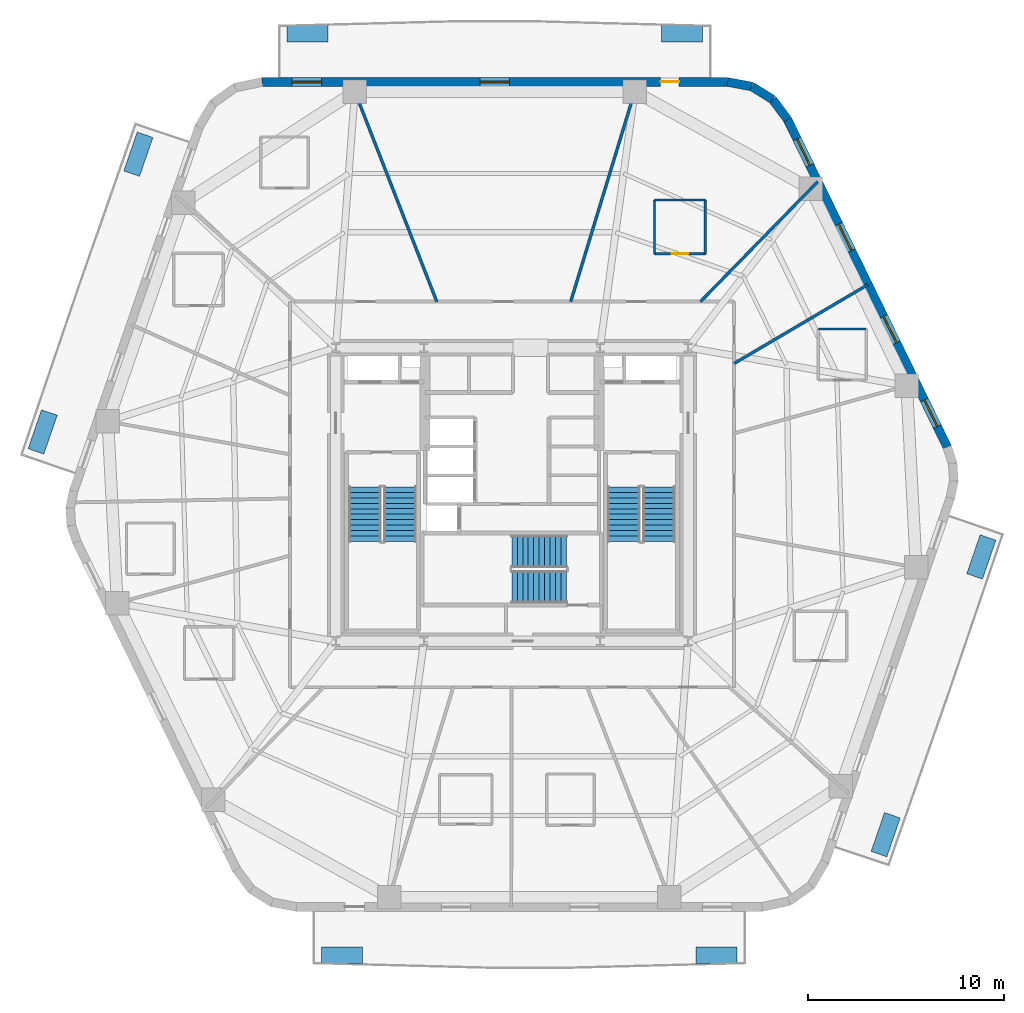
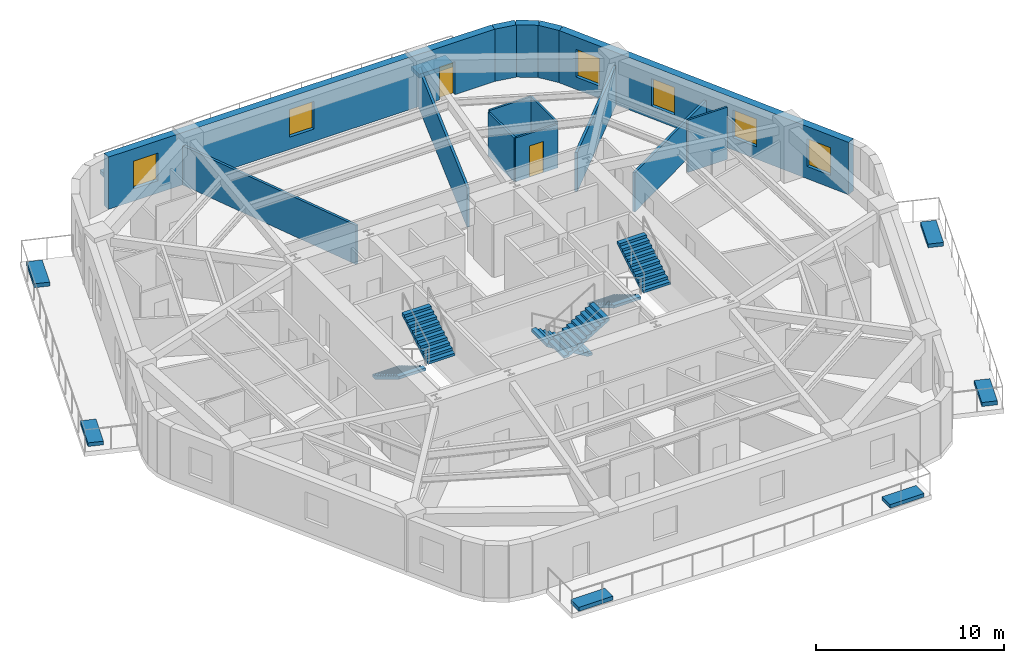
# One storey, part 6 of 8: 14 walls, 8 discrete accessories, 6 stair flights, 6 windows, 2 doors, 8 openings, 3 elements without a shape of their own.
"""IFC4 building model written with IfcOpenShell, lengths in metres."""

from ifc_helpers import new_model, si_unit, direction, frame, frame_2d, origin, origin_2d, place, context, subcontext, project, spatial, polyline, rectangle, outline, extrude, material, layer, layer_set, type_object, element, fill, aggregate, save


model = new_model("IFC4")

# Units and contexts
model_context = context("Model", 3, precision=1e-05, world=origin(), true_north=direction((0.0, 1.0)))
body_context = subcontext(model_context, "Body", "Model", "MODEL_VIEW")
ifc_project = project(units=[si_unit("LENGTHUNIT", "METRE"), si_unit("AREAUNIT", "SQUARE_METRE"), si_unit("VOLUMEUNIT", "CUBIC_METRE"), si_unit("PLANEANGLEUNIT", "RADIAN"), si_unit("MASSUNIT", "GRAM", prefix="KILO")], contexts=[model_context])

# Site, building, storey
site_placement = place(None, origin())
site = spatial("IfcSite", under=ifc_project, at=site_placement, CompositionType="ELEMENT")
building_placement = place(site_placement, origin())
building = spatial("IfcBuilding", under=site, at=building_placement, Name="Kilnhurst Terrace Hotel", CompositionType="ELEMENT")
storey_placement = place(building_placement, frame((0.0, 0.0, 109.89990234375)))
storey = spatial("IfcBuildingStorey", under=building, at=storey_placement, Name="L26", CompositionType="ELEMENT", Elevation=109.89990234375)

# Walls
ifc_material_1 = material(Name="Precast concrete C40/50", Category="concrete")
ifc_layer_1 = layer(ifc_material_1, 0.449951171875, Name="Precast concrete C40/50")
ifc_layer_set_1 = layer_set([ifc_layer_1], Name="Precast concrete C40/50")
wall_type_1 = type_object("IfcWallType", Name="WL-BRK-450", PredefinedType="SOLIDWALL", material=ifc_layer_set_1)
wall_1_placement = place(storey_placement, frame((14.07568359375, 19.16064453125, 0.0), z_axis=(0.0, 0.0, 1.0), x_axis=(-0.597226657159, 0.802072515412, 0.0)))
element("IfcWall", 1, at=wall_1_placement, inside=storey, type_object=wall_type_1, Name="L26 Rounded Corner Brick Wall C4.1", PredefinedType="SOLIDWALL", context=body_context, shape_type="SweptSolid", body=[
    extrude(rectangle(XDim=1.269287109375, YDim=0.449951171875, at=frame_2d((0.634765625, 0.0))), origin(), (0.0, 0.0, 1.0), 3.400146484375),
])
wall_2_placement = place(storey_placement, frame((13.317626953125, 20.1787109375, 0.0), z_axis=(0.0, 0.0, 1.0), x_axis=(-0.848031272749, 0.529946186362, 0.0)))
element("IfcWall", 2, at=wall_2_placement, inside=storey, type_object=wall_type_1, Name="L26 Rounded Corner Brick Wall C4.2", PredefinedType="SOLIDWALL", context=body_context, shape_type="SweptSolid", body=[
    extrude(rectangle(XDim=1.248046875, YDim=0.449951171875, at=frame_2d((0.6240234375, 0.0))), origin(), (0.0, 0.0, 1.0), 3.400146484375),
])
wall_3_placement = place(storey_placement, frame((12.25927734375, 20.840087890625, 0.0), z_axis=(0.0, 0.0, 1.0), x_axis=(-0.982730354425, 0.185043374624, 0.0)))
element("IfcWall", 3, at=wall_3_placement, inside=storey, type_object=wall_type_1, Name="L26 Rounded Corner Brick Wall C4.3", PredefinedType="SOLIDWALL", context=body_context, shape_type="SweptSolid", body=[
    extrude(rectangle(XDim=1.269287109375, YDim=0.449951171875, at=frame_2d((0.634765625, 0.0))), origin(), (0.0, 0.0, 1.0), 3.400146484375),
])

# Wall, openings, windows
wall_4_placement = place(storey_placement, frame((22.237548828125, 2.426513671875, 0.0), z_axis=(0.0, 0.0, 1.0), x_axis=(-0.438374803278, 0.898792262901, 0.0)))
wall_4 = element("IfcWall", 4, at=wall_4_placement, inside=storey, type_object=wall_type_1, Name="L26 Exterior Brick Facade Wall F3", PredefinedType="SOLIDWALL", context=body_context, shape_type="SweptSolid", body=[
    extrude(rectangle(XDim=18.618408203125, YDim=0.449951171875, at=frame_2d((9.30908203125, 0.0))), origin(), (0.0, 0.0, 1.0), 3.400146484375),
])
opening_1_placement = place(wall_4_placement, frame((5.926025390625, 0.0, 0.800048828125)))
opening_1 = element("IfcOpeningElement", 5, at=opening_1_placement, cuts=wall_4, Name="Opening W-02", PredefinedType="OPENING", context=body_context, shape_type="SweptSolid", body=[
    extrude(rectangle(XDim=1.5, YDim=1.800048828125, at=frame_2d((0.75, 0.89990234375))), frame((0.0, 0.23486328125, 0.0), z_axis=(0.0, -1.0, 0.0), x_axis=(1.0, 0.0, 0.0)), (0.0, 0.0, 1.0), 0.469970703125),
])
opening_2_placement = place(wall_4_placement, frame((11.1650390625, 0.0, 0.800048828125)))
opening_2 = element("IfcOpeningElement", 6, at=opening_2_placement, cuts=wall_4, Name="Opening W-02", PredefinedType="OPENING", context=body_context, shape_type="SweptSolid", body=[
    extrude(rectangle(XDim=1.5, YDim=1.800048828125, at=frame_2d((0.75, 0.89990234375))), frame((0.0, 0.23486328125, 0.0), z_axis=(0.0, -1.0, 0.0), x_axis=(1.0, 0.0, 0.0)), (0.0, 0.0, 1.0), 0.469970703125),
])
opening_3_placement = place(wall_4_placement, frame((16.006103515625, 0.0, 0.800048828125)))
opening_3 = element("IfcOpeningElement", 7, at=opening_3_placement, cuts=wall_4, Name="Opening W-02", PredefinedType="OPENING", context=body_context, shape_type="SweptSolid", body=[
    extrude(rectangle(XDim=1.5, YDim=1.800048828125, at=frame_2d((0.75, 0.89990234375))), frame((0.0, 0.23486328125, 0.0), z_axis=(0.0, -1.0, 0.0), x_axis=(1.0, 0.0, 0.0)), (0.0, 0.0, 1.0), 0.469970703125),
])
opening_4_placement = place(wall_4_placement, frame((1.1630859375, 0.0, 0.800048828125)))
opening_4 = element("IfcOpeningElement", 8, at=opening_4_placement, cuts=wall_4, Name="Opening W-02", PredefinedType="OPENING", context=body_context, shape_type="SweptSolid", body=[
    extrude(rectangle(XDim=1.5, YDim=1.800048828125, at=frame_2d((0.75, 0.89990234375))), frame((0.0, 0.23486328125, 0.0), z_axis=(0.0, -1.0, 0.0), x_axis=(1.0, 0.0, 0.0)), (0.0, 0.0, 1.0), 0.469970703125),
])
ifc_material_2 = material(Name="Thermally Broken Bronze Aluminium Alloy 6063-T6 and Low-E Glass", Category="aluminium")
window_type = type_object("IfcWindowType", Name="WIN-1500X1800", PartitioningType="SINGLE_PANEL", PredefinedType="WINDOW", material=ifc_material_2)
window_1_placement = place(opening_1_placement, origin())
window_1 = element("IfcWindow", 9, at=window_1_placement, inside=storey, type_object=window_type, Name="L26 Deep-Set Masonry Window F3.1", OverallHeight=1.800048828125, OverallWidth=1.5, PartitioningType="SINGLE_PANEL", PredefinedType="WINDOW", context=body_context, shape_type="SweptSolid", body=[
    extrude(rectangle(XDim=1.5, YDim=1.800048828125, at=frame_2d((0.75, 0.89990234375))), frame((0.0, 0.030029296875, 0.0), z_axis=(0.0, -1.0, 0.0), x_axis=(1.0, 0.0, 0.0)), (0.0, 0.0, 1.0), 0.06005859375),
])
fill(opening_1, window_1)
window_2_placement = place(opening_2_placement, origin())
window_2 = element("IfcWindow", 10, at=window_2_placement, inside=storey, type_object=window_type, Name="L26 Deep-Set Masonry Window F3.2", OverallHeight=1.800048828125, OverallWidth=1.5, PartitioningType="SINGLE_PANEL", PredefinedType="WINDOW", context=body_context, shape_type="SweptSolid", body=[
    extrude(rectangle(XDim=1.5, YDim=1.800048828125, at=frame_2d((0.75, 0.89990234375))), frame((0.0, 0.030029296875, 0.0), z_axis=(0.0, -1.0, 0.0), x_axis=(1.0, 0.0, 0.0)), (0.0, 0.0, 1.0), 0.06005859375),
])
fill(opening_2, window_2)
window_3_placement = place(opening_3_placement, origin())
window_3 = element("IfcWindow", 11, at=window_3_placement, inside=storey, type_object=window_type, Name="L26 Deep-Set Masonry Window F3.3", OverallHeight=1.800048828125, OverallWidth=1.5, PartitioningType="SINGLE_PANEL", PredefinedType="WINDOW", context=body_context, shape_type="SweptSolid", body=[
    extrude(rectangle(XDim=1.5, YDim=1.800048828125, at=frame_2d((0.75, 0.89990234375))), frame((0.0, 0.030029296875, 0.0), z_axis=(0.0, -1.0, 0.0), x_axis=(1.0, 0.0, 0.0)), (0.0, 0.0, 1.0), 0.06005859375),
])
fill(opening_3, window_3)
window_4_placement = place(opening_4_placement, origin())
window_4 = element("IfcWindow", 12, at=window_4_placement, inside=storey, type_object=window_type, Name="L26 Deep-Set Masonry Window F3.4", OverallHeight=1.800048828125, OverallWidth=1.5, PartitioningType="SINGLE_PANEL", PredefinedType="WINDOW", context=body_context, shape_type="SweptSolid", body=[
    extrude(rectangle(XDim=1.5, YDim=1.800048828125, at=frame_2d((0.75, 0.89990234375))), frame((0.0, 0.030029296875, 0.0), z_axis=(0.0, -1.0, 0.0), x_axis=(1.0, 0.0, 0.0)), (0.0, 0.0, 1.0), 0.06005859375),
])
fill(opening_4, window_4)

# Wall, openings, door, windows
wall_5_placement = place(storey_placement, frame((11.011962890625, 21.074951171875, 0.0), z_axis=(0.0, 0.0, 1.0), x_axis=(-1.0, 0.0, 0.0)))
wall_5 = element("IfcWall", 13, at=wall_5_placement, inside=storey, type_object=wall_type_1, Name="L26 Exterior Brick Facade Wall F4", PredefinedType="SOLIDWALL", context=body_context, shape_type="SweptSolid", body=[
    extrude(rectangle(XDim=23.782470703125, YDim=0.449951171875, at=frame_2d((11.89111328125, 0.0))), origin(), (0.0, 0.0, 1.0), 3.400146484375),
])
opening_5_placement = place(wall_5_placement, frame((2.472900390625, 0.0, 0.0)))
opening_5 = element("IfcOpeningElement", 14, at=opening_5_placement, cuts=wall_5, Name="Opening BD-950", PredefinedType="OPENING", context=body_context, shape_type="SweptSolid", body=[
    extrude(rectangle(XDim=0.949951171875, YDim=2.14990234375, at=frame_2d((0.47509765625, 1.074951171875))), frame((0.0, 0.23486328125, 0.0), z_axis=(0.0, -1.0, 0.0), x_axis=(1.0, 0.0, 0.0)), (0.0, 0.0, 1.0), 0.469970703125),
])
opening_6_placement = place(wall_5_placement, frame((11.14208984375, 0.0, 0.800048828125)))
opening_6 = element("IfcOpeningElement", 15, at=opening_6_placement, cuts=wall_5, Name="Opening W-02", PredefinedType="OPENING", context=body_context, shape_type="SweptSolid", body=[
    extrude(rectangle(XDim=1.5, YDim=1.800048828125, at=frame_2d((0.75, 0.89990234375))), frame((0.0, 0.23486328125, 0.0), z_axis=(0.0, -1.0, 0.0), x_axis=(1.0, 0.0, 0.0)), (0.0, 0.0, 1.0), 0.469970703125),
])
opening_7_placement = place(wall_5_placement, frame((20.740966796875, 0.0, 0.800048828125)))
opening_7 = element("IfcOpeningElement", 16, at=opening_7_placement, cuts=wall_5, Name="Opening W-02", PredefinedType="OPENING", context=body_context, shape_type="SweptSolid", body=[
    extrude(rectangle(XDim=1.5, YDim=1.800048828125, at=frame_2d((0.75, 0.89990234375))), frame((0.0, 0.23486328125, 0.0), z_axis=(0.0, -1.0, 0.0), x_axis=(1.0, 0.0, 0.0)), (0.0, 0.0, 1.0), 0.469970703125),
])
ifc_material_3 = material(Name="Thermally Broken Bronze Aluminium Alloy 6063-T6 and Laminated Glass", Category="aluminium")
door_type_1 = type_object("IfcDoorType", Name="DR-EXT-BAL-950", OperationType="NOTDEFINED", PredefinedType="DOOR", material=ifc_material_3)
door_1_placement = place(opening_5_placement, origin())
door_1 = element("IfcDoor", 17, at=door_1_placement, inside=storey, type_object=door_type_1, Name="L26 Planted Balcony Door BAL-L2A", OperationType="SINGLE_SWING_RIGHT", OverallHeight=2.14990234375, OverallWidth=0.949951171875, PredefinedType="DOOR", context=body_context, shape_type="SweptSolid", body=[
    extrude(rectangle(XDim=0.949951171875, YDim=2.14990234375, at=frame_2d((0.47509765625, 1.074951171875))), frame((0.0, 0.02490234375, 0.0), z_axis=(0.0, -1.0, 0.0), x_axis=(1.0, 0.0, 0.0)), (0.0, 0.0, 1.0), 0.050048828125),
])
fill(opening_5, door_1)
window_5_placement = place(opening_6_placement, origin())
window_5 = element("IfcWindow", 18, at=window_5_placement, inside=storey, type_object=window_type, Name="L26 Deep-Set Masonry Window F4.1", OverallHeight=1.800048828125, OverallWidth=1.5, PartitioningType="SINGLE_PANEL", PredefinedType="WINDOW", context=body_context, shape_type="SweptSolid", body=[
    extrude(rectangle(XDim=1.5, YDim=1.800048828125, at=frame_2d((0.75, 0.89990234375))), frame((0.0, 0.030029296875, 0.0), z_axis=(0.0, -1.0, 0.0), x_axis=(1.0, 0.0, 0.0)), (0.0, 0.0, 1.0), 0.06005859375),
])
fill(opening_6, window_5)
window_6_placement = place(opening_7_placement, origin())
window_6 = element("IfcWindow", 19, at=window_6_placement, inside=storey, type_object=window_type, Name="L26 Deep-Set Masonry Window F4.2", OverallHeight=1.800048828125, OverallWidth=1.5, PartitioningType="SINGLE_PANEL", PredefinedType="WINDOW", context=body_context, shape_type="SweptSolid", body=[
    extrude(rectangle(XDim=1.5, YDim=1.800048828125, at=frame_2d((0.75, 0.89990234375))), frame((0.0, 0.030029296875, 0.0), z_axis=(0.0, -1.0, 0.0), x_axis=(1.0, 0.0, 0.0)), (0.0, 0.0, 1.0), 0.06005859375),
])
fill(opening_7, window_6)

# Walls
ifc_material_4 = material(Name="STC-58 Acoustic Twin-Frame Guestroom Demising Partition")
ifc_layer_2 = layer(ifc_material_4, 0.14990234375, Name="STC-58 Acoustic Twin-Frame Guestroom Demising Partition")
ifc_layer_set_2 = layer_set([ifc_layer_2], Name="STC-58 Acoustic Twin-Frame Guestroom Demising Partition")
wall_type_2 = type_object("IfcWallType", Name="WL-DEM-150", PredefinedType="PARTITIONING", material=ifc_layer_set_2)
wall_6_placement = place(storey_placement, frame((11.35009765625, 6.69091796875, 0.0), z_axis=(0.0, 0.0, 1.0), x_axis=(0.861446954497, 0.507847560383, 0.0)))
element("IfcWall", 20, at=wall_6_placement, inside=storey, type_object=wall_type_2, Name="L26 Interior Wall WL-L26-DEM-MID01-02-1", PredefinedType="PARTITIONING", context=body_context, shape_type="SweptSolid", body=[
    extrude(rectangle(XDim=7.94091796875, YDim=0.14990234375, at=frame_2d((3.970458984375, 0.0))), origin(), (0.0, 0.0, 1.0), 2.5400390625),
])
wall_7_placement = place(storey_placement, frame((9.6279296875, 9.85009765625, 0.0), z_axis=(0.0, 0.0, 1.0), x_axis=(0.698992824326, 0.715128681805, 0.0)))
element("IfcWall", 21, at=wall_7_placement, inside=storey, type_object=wall_type_2, Name="L26 Interior Wall WL-L26-DEM-COL02-03-1", PredefinedType="PARTITIONING", context=body_context, shape_type="SweptSolid", body=[
    extrude(rectangle(XDim=8.578857421875, YDim=0.14990234375, at=frame_2d((4.28955078125, 0.0))), origin(), (0.0, 0.0, 1.0), 2.5400390625),
])
wall_8_placement = place(storey_placement, frame((3.0, 9.85009765625, 0.0), z_axis=(0.0, 0.0, 1.0), x_axis=(0.291352035382, 0.95661590593, 0.0)))
element("IfcWall", 22, at=wall_8_placement, inside=storey, type_object=wall_type_2, Name="L26 Interior Wall WL-L26-DEM-COL03-04-1", PredefinedType="PARTITIONING", context=body_context, shape_type="SweptSolid", body=[
    extrude(rectangle(XDim=11.73388671875, YDim=0.14990234375, at=frame_2d((5.866943359375, 0.0))), origin(), (0.0, 0.0, 1.0), 2.5400390625),
])
wall_9_placement = place(storey_placement, frame((-3.84228515625, 9.85009765625, 0.0), z_axis=(0.0, 0.0, 1.0), x_axis=(-0.363432685593, 0.931620460833, 0.0)))
element("IfcWall", 23, at=wall_9_placement, inside=storey, type_object=wall_type_2, Name="L26 Interior Wall WL-L26-DEM-COL04-05-1", PredefinedType="PARTITIONING", context=body_context, shape_type="SweptSolid", body=[
    extrude(rectangle(XDim=12.048828125, YDim=0.14990234375, at=frame_2d((6.0244140625, 0.0))), origin(), (0.0, 0.0, 1.0), 2.5400390625),
])
ifc_material_5 = material(Name="120 mm Moisture-Resistant Tile-Backed Bathroom Partition")
ifc_layer_3 = layer(ifc_material_5, 0.1201171875, Name="120 mm Moisture-Resistant Tile-Backed Bathroom Partition")
ifc_layer_set_3 = layer_set([ifc_layer_3], Name="120 mm Moisture-Resistant Tile-Backed Bathroom Partition")
wall_type_3 = type_object("IfcWallType", Name="WL-PART-120", PredefinedType="PARTITIONING", material=ifc_layer_set_3)
wall_10_placement = place(storey_placement, frame((18.093994140625, 8.4560546875, 0.0), z_axis=(0.0, 0.0, 1.0), x_axis=(-1.0, 0.0, 0.0)))
element("IfcWall", 24, at=wall_10_placement, inside=storey, type_object=wall_type_3, Name="L26 Interior Wall WL-L26-BTH-01-3", PredefinedType="PARTITIONING", context=body_context, shape_type="SweptSolid", body=[
    extrude(rectangle(XDim=2.43994140625, YDim=0.1201171875, at=frame_2d((1.219970703125, 0.0))), origin(), (0.0, 0.0, 1.0), 3.400146484375),
])

# Wall, opening, door
wall_11_placement = place(storey_placement, frame((7.277099609375, 12.294921875, 0.0), z_axis=(0.0, 0.0, 1.0), x_axis=(1.0, 0.0, 0.0)))
wall_11 = element("IfcWall", 25, at=wall_11_placement, inside=storey, type_object=wall_type_3, Name="L26 Interior Wall WL-L26-BTH-03-1", PredefinedType="PARTITIONING", context=body_context, shape_type="SweptSolid", body=[
    extrude(rectangle(XDim=2.599853515625, YDim=0.1201171875, at=frame_2d((1.2998046875, 0.0))), origin(), (0.0, 0.0, 1.0), 2.840576171875),
])
opening_8_placement = place(wall_11_placement, frame((0.875, 0.0, 0.0)))
opening_8 = element("IfcOpeningElement", 26, at=opening_8_placement, cuts=wall_11, Name="Opening D-08A", PredefinedType="OPENING", context=body_context, shape_type="SweptSolid", body=[
    extrude(rectangle(XDim=0.85009765625, YDim=2.030029296875, at=frame_2d((0.425048828125, 1.01513671875))), frame((0.0, 0.070068359375, 0.0), z_axis=(0.0, -1.0, 0.0), x_axis=(1.0, 0.0, 0.0)), (0.0, 0.0, 1.0), 0.14013671875),
])
ifc_material_6 = material(Name="Moisture-Resistant Lacquered En-suite Bathroom Door")
door_type_2 = type_object("IfcDoorType", Name="DR-INT-850", OperationType="NOTDEFINED", PredefinedType="DOOR", material=ifc_material_6)
door_2_placement = place(opening_8_placement, origin())
door_2 = element("IfcDoor", 27, at=door_2_placement, inside=storey, type_object=door_type_2, Name="L26 En-suite Bathroom Door 3", OperationType="SINGLE_SWING_RIGHT", OverallHeight=2.030029296875, OverallWidth=0.85009765625, PredefinedType="DOOR", context=body_context, shape_type="SweptSolid", body=[
    extrude(rectangle(XDim=0.85009765625, YDim=2.030029296875, at=frame_2d((0.425048828125, 1.01513671875))), frame((0.0, 0.02490234375, 0.0), z_axis=(0.0, -1.0, 0.0), x_axis=(1.0, 0.0, 0.0)), (0.0, 0.0, 1.0), 0.050048828125),
])
fill(opening_8, door_2)

# Walls
wall_12_placement = place(storey_placement, frame((9.876953125, 12.294921875, 0.0), z_axis=(0.0, 0.0, 1.0), x_axis=(0.0, 1.0, 0.0)))
element("IfcWall", 28, at=wall_12_placement, inside=storey, type_object=wall_type_3, Name="L26 Interior Wall WL-L26-BTH-03-2", PredefinedType="PARTITIONING", context=body_context, shape_type="SweptSolid", body=[
    extrude(rectangle(XDim=2.75, YDim=0.1201171875, at=frame_2d((1.375, 0.0))), origin(), (0.0, 0.0, 1.0), 2.972412109375),
])
wall_13_placement = place(storey_placement, frame((9.876953125, 15.044921875, 0.0), z_axis=(0.0, 0.0, 1.0), x_axis=(-1.0, 0.0, 0.0)))
element("IfcWall", 29, at=wall_13_placement, inside=storey, type_object=wall_type_3, Name="L26 Interior Wall WL-L26-BTH-03-3", PredefinedType="PARTITIONING", context=body_context, shape_type="SweptSolid", body=[
    extrude(rectangle(XDim=2.599853515625, YDim=0.1201171875, at=frame_2d((1.2998046875, 0.0))), origin(), (0.0, 0.0, 1.0), 2.972412109375),
])
wall_14_placement = place(storey_placement, frame((7.277099609375, 15.044921875, 0.0), z_axis=(0.0, 0.0, 1.0), x_axis=(0.0, -1.0, 0.0)))
element("IfcWall", 30, at=wall_14_placement, inside=storey, type_object=wall_type_3, Name="L26 Interior Wall WL-L26-BTH-03-4", PredefinedType="PARTITIONING", context=body_context, shape_type="SweptSolid", body=[
    extrude(rectangle(XDim=2.75, YDim=0.1201171875, at=frame_2d((1.375, 0.0))), origin(), (0.0, 0.0, 1.0), 2.840576171875),
])

# Stair, stair flights
ifc_material_7 = material(Name="Concrete C50/60", Category="concrete")
stair_type = type_object("IfcStairType", Name="STR-CORE-1660", PredefinedType="HALF_TURN_STAIR", material=ifc_material_7)
stair_1_placement = place(storey_placement, origin())
stair_1 = element("IfcStair", 31, at=stair_1_placement, inside=storey, type_object=stair_type, Name="L26 ST-1", PredefinedType="HALF_TURN_STAIR")
stair_flight_type = type_object("IfcStairFlightType", Name="FLT-RC-1660", PredefinedType="STRAIGHT", material=ifc_material_7)
stair_flight_1_placement = place(storey_placement, frame((-7.52001953125, 0.389892578125, 0.0), z_axis=(0.0, 0.0, 1.0), x_axis=(0.0, -1.0, 0.0)))
stair_flight_1 = element("IfcStairFlight", 32, at=stair_flight_1_placement, type_object=stair_flight_type, Name="ST-1 flight 1", NumberOfRisers=11, NumberOfTreads=10, PredefinedType="STRAIGHT", RiserHeight=0.168181818, TreadLength=0.28, context=body_context, shape_type="SweptSolid", body=[
    extrude(outline(polyline([(0.0, 0.0), (0.0, 0.168212890625), (0.280029296875, 0.168212890625), (0.280029296875, 0.33642578125), (0.56005859375, 0.33642578125), (0.56005859375, 0.504638671875), (0.840087890625, 0.504638671875), (0.840087890625, 0.672607421875), (1.1201171875, 0.672607421875), (1.1201171875, 0.8408203125), (1.39990234375, 0.8408203125), (1.39990234375, 1.009033203125), (1.679931640625, 1.009033203125), (1.679931640625, 1.17724609375), (1.9599609375, 1.17724609375), (1.9599609375, 1.345458984375), (2.239990234375, 1.345458984375), (2.239990234375, 1.513671875), (2.52001953125, 1.513671875), (2.52001953125, 1.681884765625), (2.800048828125, 1.681884765625), (2.800048828125, 1.85009765625), (2.800048828125, 1.5068359375), (0.291015625, 0.0), (0.0, 0.0)])), frame((0.0, 0.830078125, 0.0), z_axis=(0.0, -1.0, 0.0), x_axis=(1.0, 0.0, 0.0)), (0.0, 0.0, 1.0), 1.659912109375),
])
stair_flight_2_placement = place(storey_placement, frame((-5.7099609375, -2.409912109375, 1.85009765625), z_axis=(0.0, 0.0, 1.0), x_axis=(0.0, 1.0, 0.0)))
stair_flight_2 = element("IfcStairFlight", 33, at=stair_flight_2_placement, type_object=stair_flight_type, Name="ST-1 flight 2", NumberOfRisers=11, NumberOfTreads=10, PredefinedType="STRAIGHT", RiserHeight=0.168181818, TreadLength=0.28, context=body_context, shape_type="SweptSolid", body=[
    extrude(outline(polyline([(0.0, 0.0), (0.0, 0.168212890625), (0.280029296875, 0.168212890625), (0.280029296875, 0.33642578125), (0.56005859375, 0.33642578125), (0.56005859375, 0.504638671875), (0.840087890625, 0.504638671875), (0.840087890625, 0.672607421875), (1.1201171875, 0.672607421875), (1.1201171875, 0.8408203125), (1.39990234375, 0.8408203125), (1.39990234375, 1.009033203125), (1.679931640625, 1.009033203125), (1.679931640625, 1.17724609375), (1.9599609375, 1.17724609375), (1.9599609375, 1.345458984375), (2.239990234375, 1.345458984375), (2.239990234375, 1.513671875), (2.52001953125, 1.513671875), (2.52001953125, 1.681884765625), (2.800048828125, 1.681884765625), (2.800048828125, 1.85009765625), (2.800048828125, 1.5068359375), (0.291015625, 0.0), (0.0, 0.0)])), frame((0.0, 0.830078125, 0.0), z_axis=(0.0, -1.0, 0.0), x_axis=(1.0, 0.0, 0.0)), (0.0, 0.0, 1.0), 1.659912109375),
])
aggregate(stair_1, [stair_flight_1, stair_flight_2])

stair_2_placement = place(storey_placement, origin())
stair_2 = element("IfcStair", 34, at=stair_2_placement, inside=storey, type_object=stair_type, Name="L26 ST-2", PredefinedType="HALF_TURN_STAIR")
stair_flight_3_placement = place(storey_placement, frame((5.7099609375, 0.389892578125, 0.0), z_axis=(0.0, 0.0, 1.0), x_axis=(0.0, -1.0, 0.0)))
stair_flight_3 = element("IfcStairFlight", 35, at=stair_flight_3_placement, type_object=stair_flight_type, Name="ST-2 flight 1", NumberOfRisers=11, NumberOfTreads=10, PredefinedType="STRAIGHT", RiserHeight=0.168181818, TreadLength=0.28, context=body_context, shape_type="SweptSolid", body=[
    extrude(outline(polyline([(0.0, 0.0), (0.0, 0.168212890625), (0.280029296875, 0.168212890625), (0.280029296875, 0.33642578125), (0.56005859375, 0.33642578125), (0.56005859375, 0.504638671875), (0.840087890625, 0.504638671875), (0.840087890625, 0.672607421875), (1.1201171875, 0.672607421875), (1.1201171875, 0.8408203125), (1.39990234375, 0.8408203125), (1.39990234375, 1.009033203125), (1.679931640625, 1.009033203125), (1.679931640625, 1.17724609375), (1.9599609375, 1.17724609375), (1.9599609375, 1.345458984375), (2.239990234375, 1.345458984375), (2.239990234375, 1.513671875), (2.52001953125, 1.513671875), (2.52001953125, 1.681884765625), (2.800048828125, 1.681884765625), (2.800048828125, 1.85009765625), (2.800048828125, 1.5068359375), (0.291015625, 0.0), (0.0, 0.0)])), frame((0.0, 0.830078125, 0.0), z_axis=(0.0, -1.0, 0.0), x_axis=(1.0, 0.0, 0.0)), (0.0, 0.0, 1.0), 1.659912109375),
])
stair_flight_4_placement = place(storey_placement, frame((7.52001953125, -2.409912109375, 1.85009765625), z_axis=(0.0, 0.0, 1.0), x_axis=(0.0, 1.0, 0.0)))
stair_flight_4 = element("IfcStairFlight", 36, at=stair_flight_4_placement, type_object=stair_flight_type, Name="ST-2 flight 2", NumberOfRisers=11, NumberOfTreads=10, PredefinedType="STRAIGHT", RiserHeight=0.168181818, TreadLength=0.28, context=body_context, shape_type="SweptSolid", body=[
    extrude(outline(polyline([(0.0, 0.0), (0.0, 0.168212890625), (0.280029296875, 0.168212890625), (0.280029296875, 0.33642578125), (0.56005859375, 0.33642578125), (0.56005859375, 0.504638671875), (0.840087890625, 0.504638671875), (0.840087890625, 0.672607421875), (1.1201171875, 0.672607421875), (1.1201171875, 0.8408203125), (1.39990234375, 0.8408203125), (1.39990234375, 1.009033203125), (1.679931640625, 1.009033203125), (1.679931640625, 1.17724609375), (1.9599609375, 1.17724609375), (1.9599609375, 1.345458984375), (2.239990234375, 1.345458984375), (2.239990234375, 1.513671875), (2.52001953125, 1.513671875), (2.52001953125, 1.681884765625), (2.800048828125, 1.681884765625), (2.800048828125, 1.85009765625), (2.800048828125, 1.5068359375), (0.291015625, 0.0), (0.0, 0.0)])), frame((0.0, 0.830078125, 0.0), z_axis=(0.0, -1.0, 0.0), x_axis=(1.0, 0.0, 0.0)), (0.0, 0.0, 1.0), 1.659912109375),
])
aggregate(stair_2, [stair_flight_3, stair_flight_4])

stair_3_placement = place(storey_placement, origin())
stair_3 = element("IfcStair", 37, at=stair_3_placement, inside=storey, type_object=stair_type, Name="L26 ST-3", PredefinedType="HALF_TURN_STAIR")
stair_flight_5_placement = place(storey_placement, frame((2.7900390625, -2.909912109375, 0.0), z_axis=(0.0, 0.0, 1.0), x_axis=(-1.0, 0.0, 0.0)))
stair_flight_5 = element("IfcStairFlight", 38, at=stair_flight_5_placement, type_object=stair_flight_type, Name="ST-3 flight 1", NumberOfRisers=11, NumberOfTreads=10, PredefinedType="STRAIGHT", RiserHeight=0.168181818, TreadLength=0.28, context=body_context, shape_type="SweptSolid", body=[
    extrude(outline(polyline([(0.0, 0.0), (0.0, 0.168212890625), (0.280029296875, 0.168212890625), (0.280029296875, 0.33642578125), (0.56005859375, 0.33642578125), (0.56005859375, 0.504638671875), (0.840087890625, 0.504638671875), (0.840087890625, 0.672607421875), (1.1201171875, 0.672607421875), (1.1201171875, 0.8408203125), (1.39990234375, 0.8408203125), (1.39990234375, 1.009033203125), (1.679931640625, 1.009033203125), (1.679931640625, 1.17724609375), (1.9599609375, 1.17724609375), (1.9599609375, 1.345458984375), (2.239990234375, 1.345458984375), (2.239990234375, 1.513671875), (2.52001953125, 1.513671875), (2.52001953125, 1.681884765625), (2.800048828125, 1.681884765625), (2.800048828125, 1.85009765625), (2.800048828125, 1.5068359375), (0.291015625, 0.0), (0.0, 0.0)])), frame((0.0, 0.830078125, 0.0), z_axis=(0.0, -1.0, 0.0), x_axis=(1.0, 0.0, 0.0)), (0.0, 0.0, 1.0), 1.659912109375),
])
stair_flight_6_placement = place(storey_placement, frame((-0.010009765625, -4.719970703125, 1.85009765625), z_axis=(0.0, 0.0, 1.0), x_axis=(1.0, 0.0, 0.0)))
stair_flight_6 = element("IfcStairFlight", 39, at=stair_flight_6_placement, type_object=stair_flight_type, Name="ST-3 flight 2", NumberOfRisers=11, NumberOfTreads=10, PredefinedType="STRAIGHT", RiserHeight=0.168181818, TreadLength=0.28, context=body_context, shape_type="SweptSolid", body=[
    extrude(outline(polyline([(0.0, 0.0), (0.0, 0.168212890625), (0.280029296875, 0.168212890625), (0.280029296875, 0.33642578125), (0.56005859375, 0.33642578125), (0.56005859375, 0.504638671875), (0.840087890625, 0.504638671875), (0.840087890625, 0.672607421875), (1.1201171875, 0.672607421875), (1.1201171875, 0.8408203125), (1.39990234375, 0.8408203125), (1.39990234375, 1.009033203125), (1.679931640625, 1.009033203125), (1.679931640625, 1.17724609375), (1.9599609375, 1.17724609375), (1.9599609375, 1.345458984375), (2.239990234375, 1.345458984375), (2.239990234375, 1.513671875), (2.52001953125, 1.513671875), (2.52001953125, 1.681884765625), (2.800048828125, 1.681884765625), (2.800048828125, 1.85009765625), (2.800048828125, 1.5068359375), (0.291015625, 0.0), (0.0, 0.0)])), frame((0.0, 0.830078125, 0.0), z_axis=(0.0, -1.0, 0.0), x_axis=(1.0, 0.0, 0.0)), (0.0, 0.0, 1.0), 1.659912109375),
])
aggregate(stair_3, [stair_flight_5, stair_flight_6])

# Discrete accessories
ifc_material_8 = material(Name="Precast Concrete C40/50 Shrub Planter", Category="concrete")
discrete_accessory_type_1 = type_object("IfcDiscreteAccessoryType", Name="PLN-SHRUB-240", PredefinedType="USERDEFINED", material=ifc_material_8)
for number, where, z_axis, x_axis, name in (
    (40, (10.443603515625, -23.550048828125, 0.0), (0.0, 0.0, 1.0), (1.0, 0.0, 0.0), "L26 Structural Tree Planter Box PLANTER BAL-L1A.2"),
    (41, (23.9765625, -3.193115234375, 0.0), (0.0, 0.0, 1.0), (0.325601159083, 0.945507210551, 0.0), "L26 Structural Tree Planter Box PLANTER BAL-L1B.2"),
    (42, (-10.443603515625, 23.550048828125, 0.0), (0.0, 0.0, 1.0), (-1.0, 0.0, 0.0), "L26 Structural Tree Planter Box PLANTER BAL-L2A.2"),
    (43, (-23.9765625, 3.193115234375, 0.0), (0.0, 0.0, 1.0), (-0.325601159083, -0.945507210551, 0.0), "L26 Structural Tree Planter Box PLANTER BAL-L2B.2"),
):
    element("IfcDiscreteAccessory", number, at=place(storey_placement, frame(where, z_axis=z_axis, x_axis=x_axis)), inside=storey, type_object=discrete_accessory_type_1, Name=name, ObjectType="PLANTER", PredefinedType="USERDEFINED", context=body_context, shape_type="SweptSolid", body=[
        extrude(rectangle(XDim=2.10009765625, YDim=0.85009765625, at=origin_2d()), origin(), (0.0, 0.0, 1.0), 0.239990234375),
    ])
ifc_material_9 = material(Name="Precast Concrete C40/50 Tree Planter", Category="concrete")
discrete_accessory_type_2 = type_object("IfcDiscreteAccessoryType", Name="PLN-TREE-260", PredefinedType="USERDEFINED", material=ifc_material_9)
for number, where, z_axis, x_axis, name in (
    (44, (-8.68310546875, -23.550048828125, 0.0), (0.0, 0.0, 1.0), (1.0, 0.0, 0.0), "L26 Structural Tree Planter Box PLANTER BAL-L1A.1"),
    (45, (19.090087890625, -17.3828125, 0.0), (0.0, 0.0, 1.0), (0.325601159083, 0.945507210551, 0.0), "L26 Structural Tree Planter Box PLANTER BAL-L1B.1"),
    (46, (8.68310546875, 23.550048828125, 0.0), (0.0, 0.0, 1.0), (-1.0, 0.0, 0.0), "L26 Structural Tree Planter Box PLANTER BAL-L2A.1"),
    (47, (-19.090087890625, 17.3828125, 0.0), (0.0, 0.0, 1.0), (-0.325601159083, -0.945507210551, 0.0), "L26 Structural Tree Planter Box PLANTER BAL-L2B.1"),
):
    element("IfcDiscreteAccessory", number, at=place(storey_placement, frame(where, z_axis=z_axis, x_axis=x_axis)), inside=storey, type_object=discrete_accessory_type_2, Name=name, ObjectType="PLANTER", PredefinedType="USERDEFINED", context=body_context, shape_type="SweptSolid", body=[
        extrude(rectangle(XDim=2.10009765625, YDim=0.85009765625, at=origin_2d()), origin(), (0.0, 0.0, 1.0), 0.260009765625),
    ])

save(model, "model.ifc")
